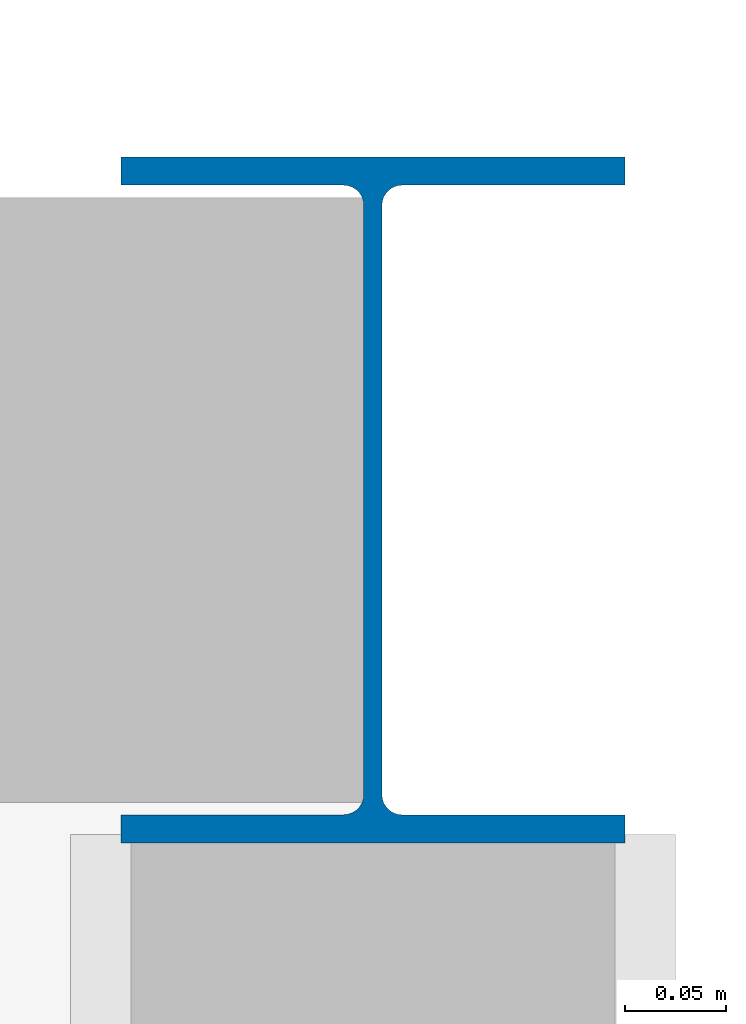
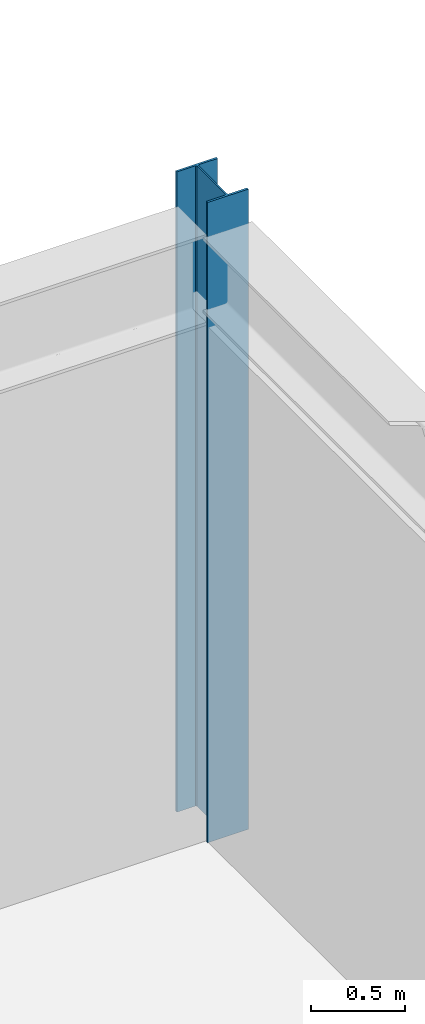
# One storey, part 6 of 108: 1 column.
"""IFC4 building model written with IfcOpenShell, lengths in metres."""

from ifc_helpers import new_model, si_unit, direction, frame, origin, origin_2d, place, context, subcontext, project, spatial, i_section, extrude, material, material_profile, profile_set, type_object, element, save


model = new_model("IFC4")

# Units and contexts
model_context = context("Model", 3, precision=1e-05, world=origin(), true_north=direction((0.0, 1.0)))
body_context = subcontext(model_context, "Body", "Model", "MODEL_VIEW")
ifc_project = project(units=[si_unit("LENGTHUNIT", "METRE"), si_unit("AREAUNIT", "SQUARE_METRE"), si_unit("VOLUMEUNIT", "CUBIC_METRE"), si_unit("PLANEANGLEUNIT", "RADIAN"), si_unit("MASSUNIT", "GRAM", prefix="KILO")], contexts=[model_context])

# Site, building, storey
site_placement = place(None, origin())
site = spatial("IfcSite", under=ifc_project, at=site_placement, CompositionType="ELEMENT")
building_placement = place(site_placement, origin())
building = spatial("IfcBuilding", under=site, at=building_placement, Name="Suzunagisa Mobility Hub", CompositionType="ELEMENT")
storey_placement = place(building_placement, frame((0.0, 0.0, 9.300048828125)))
storey = spatial("IfcBuildingStorey", under=building, at=storey_placement, Name="L02", CompositionType="ELEMENT", Elevation=9.300048828125)

# Column
ifc_material = material(Name="Steel SN490B", Category="steel")
ifc_material_profile = material_profile(ifc_material, i_section(OverallWidth=0.25, OverallDepth=0.340087890625, WebThickness=0.009033203125, FlangeThickness=0.013916015625, FilletRadius=0.010009765625, at=origin_2d()), Name="H-340x250x9x14")
ifc_profile_set = profile_set([ifc_material_profile], Name="Steel SN490B")
column_type = type_object("IfcColumnType", Name="Steel Column CL-02 H-340x250x9x14", PredefinedType="COLUMN", material=ifc_profile_set)
column_placement = place(storey_placement, frame((36.0, 62.0, 0.0), z_axis=(0.0, 0.0, 1.0), x_axis=(1.0, 0.0, 0.0)))
element("IfcColumn", 1, at=column_placement, inside=storey, type_object=column_type, Name="L02 Column 84", PredefinedType="COLUMN", context=body_context, shape_type="SweptSolid", body=[
    extrude(i_section(OverallWidth=0.25, OverallDepth=0.340087890625, WebThickness=0.009033203125, FlangeThickness=0.013916015625, FilletRadius=0.010009765625, at=origin_2d()), origin(), (0.0, 0.0, 1.0), 4.139892578125),
])

save(model, "model.ifc")
